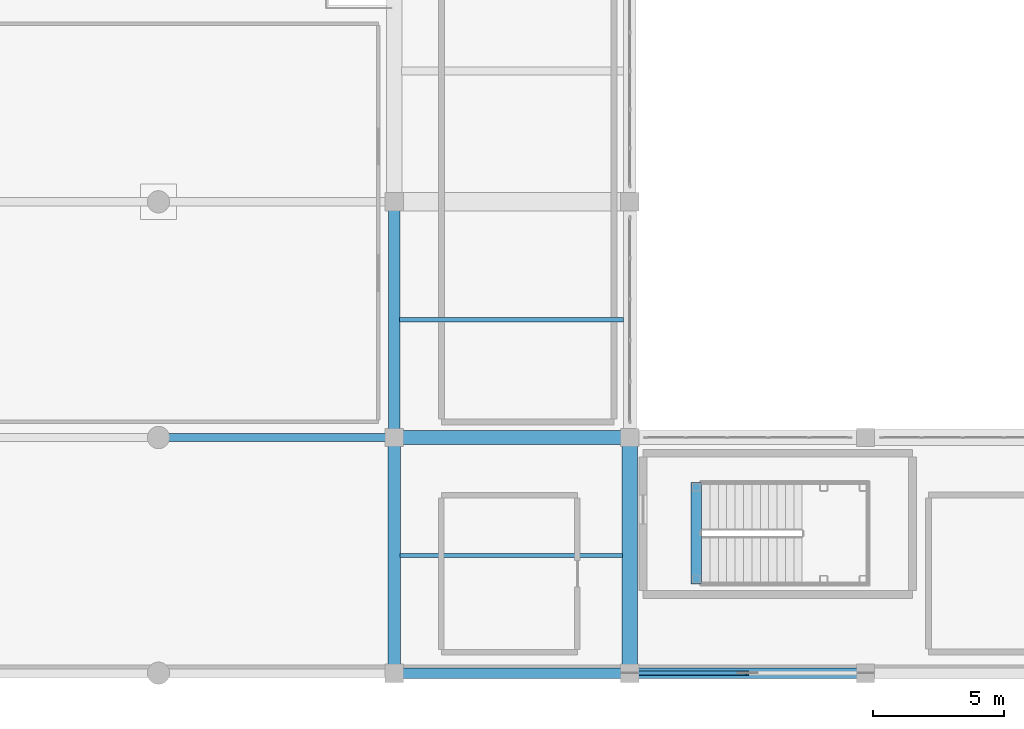
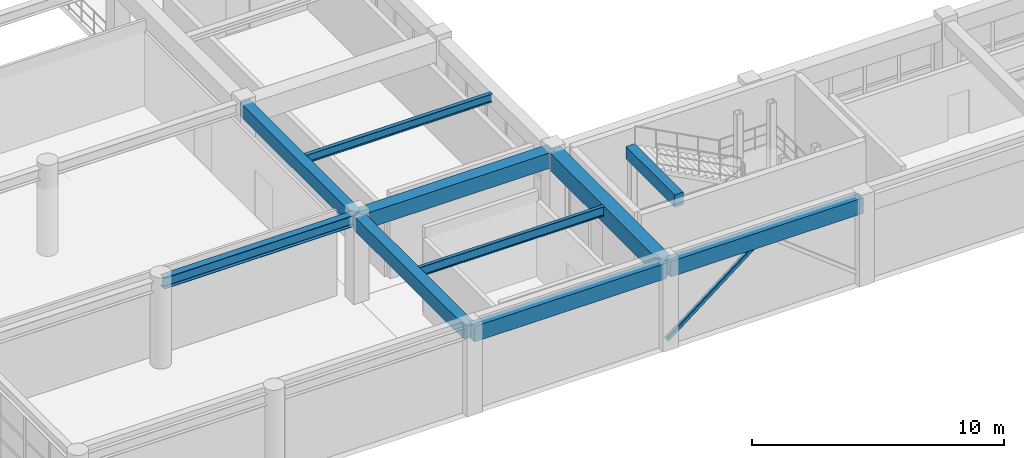
# One storey, part 18 of 133: 10 beams, 1 member.
"""IFC4 building model written with IfcOpenShell, lengths in metres."""

from ifc_helpers import new_model, si_unit, direction, frame, origin, origin_2d, place, context, subcontext, project, spatial, rectangle, hollow_rectangle, i_section, extrude, material, material_profile, profile_set, type_object, element, save


model = new_model("IFC4")

# Units and contexts
model_context = context("Model", 3, precision=1e-05, world=origin(), true_north=direction((0.0, 1.0)))
body_context = subcontext(model_context, "Body", "Model", "MODEL_VIEW")
ifc_project = project(units=[si_unit("LENGTHUNIT", "METRE"), si_unit("AREAUNIT", "SQUARE_METRE"), si_unit("VOLUMEUNIT", "CUBIC_METRE"), si_unit("PLANEANGLEUNIT", "RADIAN"), si_unit("MASSUNIT", "GRAM", prefix="KILO")], contexts=[model_context])

# Site, building, storey
site_placement = place(None, origin())
site = spatial("IfcSite", under=ifc_project, at=site_placement, CompositionType="ELEMENT")
building_placement = place(site_placement, origin())
building = spatial("IfcBuilding", under=site, at=building_placement, Name="Miravela Opera House", CompositionType="ELEMENT")
storey_placement = place(building_placement, frame((0.0, 0.0, 5.10009765625)))
storey = spatial("IfcBuildingStorey", under=building, at=storey_placement, Name="L01", CompositionType="ELEMENT", Elevation=5.10009765625)

# Beams
ifc_material_1 = material(Name="Concrete C35/45", Category="concrete")
ifc_material_profile_1 = material_profile(ifc_material_1, rectangle(XDim=0.39990234375, YDim=0.60009765625, at=origin_2d()), Name="RC-BM-400X600")
ifc_profile_set_1 = profile_set([ifc_material_profile_1])
beam_type_1 = type_object("IfcBeamType", Name="STR-BM-RC400X600", PredefinedType="JOIST", material=ifc_profile_set_1)
beam_1_placement = place(storey_placement, frame((29.5400390625, 3.39990234375, 4.119873046875), z_axis=(0.0, 1.0, 0.0), x_axis=(-1.0, 0.0, 0.0)))
element("IfcBeam", 1, at=beam_1_placement, inside=storey, type_object=beam_type_1, Name="Stair ST-08 Opening Header Trimmer Beam 02", PredefinedType="JOIST", context=body_context, shape_type="SweptSolid", body=[
    extrude(rectangle(XDim=0.39990234375, YDim=0.60009765625, at=origin_2d()), origin(), (0.0, 0.0, 1.0), 3.880126953125),
])
ifc_material_profile_2 = material_profile(ifc_material_1, rectangle(XDim=0.449951171875, YDim=0.64990234375, at=origin_2d()), Name="RC-BM-450X650")
ifc_profile_set_2 = profile_set([ifc_material_profile_2])
beam_type_2 = type_object("IfcBeamType", Name="STR-BM-RC450X650", PredefinedType="BEAM", material=ifc_profile_set_2)
beam_2_placement = place(storey_placement, frame((18.0, 9.080078125, 3.8349609375), z_axis=(0.0, 1.0, 0.0), x_axis=(-1.0, 0.0, 0.0)))
element("IfcBeam", 2, at=beam_2_placement, inside=storey, type_object=beam_type_2, Name="Floor Girder L01 3/B-C", PredefinedType="BEAM", context=body_context, shape_type="SweptSolid", body=[
    extrude(rectangle(XDim=0.449951171875, YDim=0.64990234375, at=origin_2d()), origin(), (0.0, 0.0, 1.0), 8.83984375),
])
ifc_material_profile_3 = material_profile(ifc_material_1, rectangle(XDim=0.47998046875, YDim=0.679931640625, at=origin_2d()), Name="RC-BM-480X680")
ifc_profile_set_3 = profile_set([ifc_material_profile_3])
beam_type_3 = type_object("IfcBeamType", Name="STR-BM-RC480X680", PredefinedType="BEAM", material=ifc_profile_set_3)
beam_3_placement = place(storey_placement, frame((18.0, 0.080078125, 3.81982421875), z_axis=(0.0, 1.0, 0.0), x_axis=(-1.0, 0.0, 0.0)))
element("IfcBeam", 3, at=beam_3_placement, inside=storey, type_object=beam_type_3, Name="Floor Girder L01 3/A-B", PredefinedType="BEAM", context=body_context, shape_type="SweptSolid", body=[
    extrude(rectangle(XDim=0.47998046875, YDim=0.679931640625, at=origin_2d()), origin(), (0.0, 0.0, 1.0), 8.83984375),
])
ifc_material_profile_4 = material_profile(ifc_material_1, rectangle(XDim=0.550048828125, YDim=0.75, at=origin_2d()), Name="RC-BM-550X750")
ifc_profile_set_4 = profile_set([ifc_material_profile_4])
beam_type_4 = type_object("IfcBeamType", Name="STR-BM-RC550X750", PredefinedType="BEAM", material=ifc_profile_set_4)
beam_4_placement = place(storey_placement, frame((18.080078125, 9.0, 3.784912109375), z_axis=(1.0, 0.0, 0.0), x_axis=(0.0, 1.0, 0.0)))
element("IfcBeam", 4, at=beam_4_placement, inside=storey, type_object=beam_type_4, Name="Floor Girder L01 3-4/B", PredefinedType="BEAM", context=body_context, shape_type="SweptSolid", body=[
    extrude(rectangle(XDim=0.550048828125, YDim=0.75, at=origin_2d()), origin(), (0.0, 0.0, 1.0), 8.83984375),
])
ifc_material_2 = material(Name="Concrete C40/50", Category="concrete")
ifc_material_profile_5 = material_profile(ifc_material_2, rectangle(XDim=0.60009765625, YDim=0.85009765625, at=origin_2d()), Name="RC-BM-600X850")
ifc_profile_set_5 = profile_set([ifc_material_profile_5])
beam_type_5 = type_object("IfcBeamType", Name="STR-BM-RC600X850", PredefinedType="BEAM", material=ifc_profile_set_5)
beam_5_placement = place(storey_placement, frame((27.0, 0.080078125, 3.73486328125), z_axis=(0.0, 1.0, 0.0), x_axis=(-1.0, 0.0, 0.0)))
element("IfcBeam", 5, at=beam_5_placement, inside=storey, type_object=beam_type_5, Name="Floor Girder L01 4/A-B", PredefinedType="BEAM", context=body_context, shape_type="SweptSolid", body=[
    extrude(rectangle(XDim=0.60009765625, YDim=0.85009765625, at=origin_2d()), origin(), (0.0, 0.0, 1.0), 8.83984375),
])
ifc_material_3 = material(Name="Structural steel ASTM A992 Gr. 50", Category="steel")
ifc_material_profile_6 = material_profile(ifc_material_3, i_section(OverallWidth=0.177978515625, OverallDepth=0.406982421875, WebThickness=0.0078125, FlangeThickness=0.0126953125, FilletRadius=0.012939453125, at=origin_2d()), Name="W410X60")
ifc_profile_set_6 = profile_set([ifc_material_profile_6])
beam_type_6 = type_object("IfcBeamType", Name="STR-BM-W410X60", PredefinedType="JOIST", material=ifc_profile_set_6)
beam_6_placement = place(storey_placement, frame((18.2099609375, 13.5, 3.956298828125), z_axis=(1.0, 0.0, 0.0), x_axis=(0.0, 1.0, 0.0)))
element("IfcBeam", 6, at=beam_6_placement, inside=storey, type_object=beam_type_6, Name="Secondary Floor Joist L01 3-4/B-C", PredefinedType="JOIST", context=body_context, shape_type="SweptSolid", body=[
    extrude(i_section(OverallWidth=0.177978515625, OverallDepth=0.406982421875, WebThickness=0.0078125, FlangeThickness=0.0126953125, FilletRadius=0.012939453125, at=origin_2d()), origin(), (0.0, 0.0, 1.0), 8.554931640625),
])
ifc_material_profile_7 = material_profile(ifc_material_3, i_section(OverallWidth=0.154052734375, OverallDepth=0.458984375, WebThickness=0.009033203125, FlangeThickness=0.015380859375, FilletRadius=0.013916015625, at=origin_2d()), Name="W460X68")
ifc_profile_set_7 = profile_set([ifc_material_profile_7])
beam_type_7 = type_object("IfcBeamType", Name="STR-BM-W460X68", PredefinedType="JOIST", material=ifc_profile_set_7)
beam_7_placement = place(storey_placement, frame((18.22509765625, 4.5, 3.930419921875), z_axis=(1.0, 0.0, 0.0), x_axis=(0.0, 1.0, 0.0)))
element("IfcBeam", 7, at=beam_7_placement, inside=storey, type_object=beam_type_7, Name="Secondary Floor Joist L01 3-4/A-B", PredefinedType="JOIST", context=body_context, shape_type="SweptSolid", body=[
    extrude(i_section(OverallWidth=0.154052734375, OverallDepth=0.458984375, WebThickness=0.009033203125, FlangeThickness=0.015380859375, FilletRadius=0.013916015625, at=origin_2d()), origin(), (0.0, 0.0, 1.0), 8.489990234375),
])
ifc_material_profile_8 = material_profile(ifc_material_3, i_section(OverallWidth=0.31201171875, OverallDepth=0.54296875, WebThickness=0.0126953125, FlangeThickness=0.020263671875, FilletRadius=0.01611328125, at=origin_2d()), Name="W530X150")
ifc_profile_set_8 = profile_set([ifc_material_profile_8])
beam_type_8 = type_object("IfcBeamType", Name="STR-BM-W530X150", PredefinedType="BEAM", material=ifc_profile_set_8)
beam_8_placement = place(storey_placement, frame((9.080078125, 9.0, 3.908447265625), z_axis=(1.0, 0.0, 0.0), x_axis=(0.0, 1.0, 0.0)))
element("IfcBeam", 8, at=beam_8_placement, inside=storey, type_object=beam_type_8, Name="Roof King-Post Transverse Tie Girder ROOF-V5-SOUTH T1.2", PredefinedType="BEAM", context=body_context, shape_type="SweptSolid", body=[
    extrude(i_section(OverallWidth=0.31201171875, OverallDepth=0.54296875, WebThickness=0.0126953125, FlangeThickness=0.020263671875, FilletRadius=0.01611328125, at=origin_2d()), origin(), (0.0, 0.0, 1.0), 8.83984375),
])

# Member
ifc_material_4 = material(Name="Hollow structural steel ASTM A500 Gr. C", Category="steel")
ifc_material_profile_9 = material_profile(ifc_material_4, hollow_rectangle(XDim=0.179931640625, YDim=0.179931640625, WallThickness=0.010009765625, InnerFilletRadius=0.010009765625, OuterFilletRadius=0.02001953125, at=origin_2d()), Name="HSS180X180X10")
ifc_profile_set_9 = profile_set([ifc_material_profile_9])
member_type = type_object("IfcMemberType", Name="STR-MEM-BRACE-HSS180", PredefinedType="BRACE", material=ifc_profile_set_9)
member_placement = place(storey_placement, frame((27.0, 0.0, 0.2998046875), z_axis=(0.788501476184, 0.0, 0.615032862581), x_axis=(0.0, 1.0, 0.0)))
element("IfcMember", 9, at=member_placement, inside=storey, type_object=member_type, Name="Concentric Braced Frame BF-S1 L01 Left Brace", PredefinedType="BRACE", context=body_context, shape_type="SweptSolid", body=[
    extrude(hollow_rectangle(XDim=0.179931640625, YDim=0.179931640625, WallThickness=0.010009765625, InnerFilletRadius=0.010009765625, OuterFilletRadius=0.02001953125, at=origin_2d()), origin(), (0.0, 0.0, 1.0), 5.70703125),
])

# Beams
ifc_material_profile_10 = material_profile(ifc_material_1, rectangle(XDim=0.39990234375, YDim=0.75, at=origin_2d()), Name="RC-SPN-400X750")
ifc_profile_set_10 = profile_set([ifc_material_profile_10])
beam_type_9 = type_object("IfcBeamType", Name="STR-SPN-RC400X750", PredefinedType="SPANDREL", material=ifc_profile_set_10)
for number, where, z_axis, x_axis, name in (
    (10, (18.080078125, 0.0, 3.784912109375), (1.0, 0.0, 0.0), (0.0, 1.0, 0.0), "Floor Girder L01 3-4/A"),
    (11, (27.080078125, 0.0, 3.784912109375), (1.0, 0.0, 0.0), (0.0, 1.0, 0.0), "Floor Girder L01 4-5/A"),
):
    element("IfcBeam", number, at=place(storey_placement, frame(where, z_axis=z_axis, x_axis=x_axis)), inside=storey, type_object=beam_type_9, Name=name, PredefinedType="SPANDREL", context=body_context, shape_type="SweptSolid", body=[
        extrude(rectangle(XDim=0.39990234375, YDim=0.75, at=origin_2d()), origin(), (0.0, 0.0, 1.0), 8.83984375),
    ])

save(model, "model.ifc")
